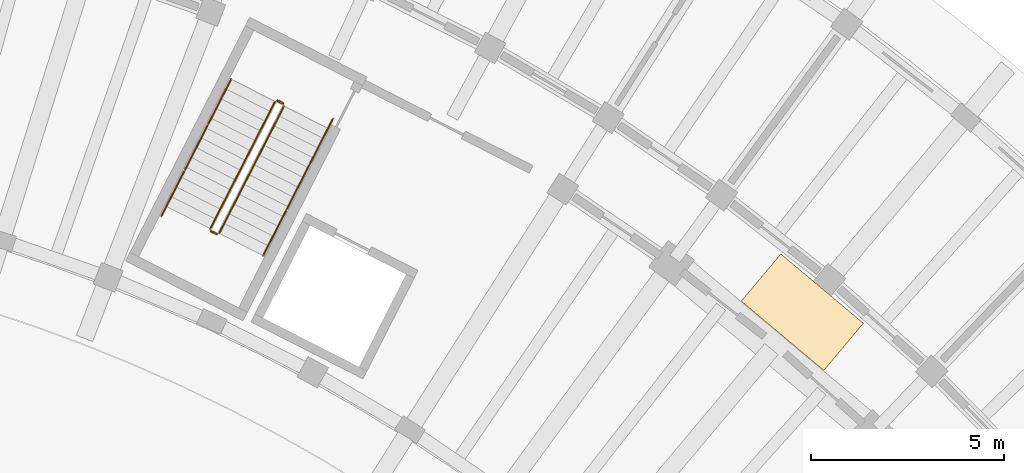
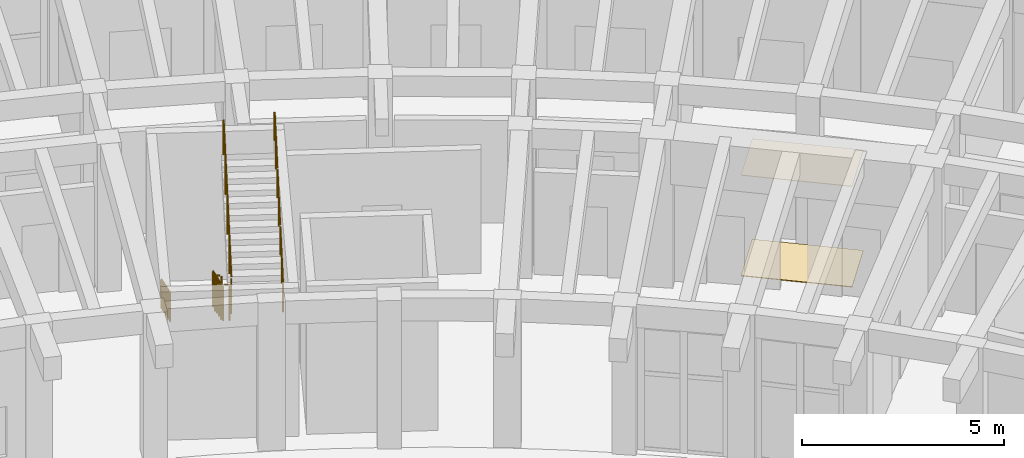
# One storey, part 131 of 132: 10 railings, 2 coverings.
"""IFC4 building model written with IfcOpenShell, lengths in metres."""

from ifc_helpers import new_model, si_unit, direction, frame, origin, origin_2d, place, context, subcontext, project, spatial, rectangle, circle, extrude, material, layer, layer_set, type_object, element, save


model = new_model("IFC4")

# Units and contexts
model_context = context("Model", 3, precision=1e-05, world=origin(), true_north=direction((0.0, 1.0)))
body_context = subcontext(model_context, "Body", "Model", "MODEL_VIEW")
ifc_project = project(units=[si_unit("LENGTHUNIT", "METRE"), si_unit("AREAUNIT", "SQUARE_METRE"), si_unit("VOLUMEUNIT", "CUBIC_METRE"), si_unit("PLANEANGLEUNIT", "RADIAN"), si_unit("MASSUNIT", "GRAM", prefix="KILO")], contexts=[model_context])

# Site, building, storey
site_placement = place(None, origin())
site = spatial("IfcSite", under=ifc_project, at=site_placement, CompositionType="ELEMENT")
building_placement = place(site_placement, origin())
building = spatial("IfcBuilding", under=site, at=building_placement, Name="Tanwirah Colonnade Gardens", CompositionType="ELEMENT")
storey_placement = place(building_placement, origin())
storey = spatial("IfcBuildingStorey", under=building, at=storey_placement, Name="L00", CompositionType="ELEMENT", Elevation=0.0)

# Coverings
ifc_material_1 = material(Name="Acoustic perforated gypsum ceiling board")
ifc_layer_1 = layer(ifc_material_1, 0.014892578125)
ifc_layer_set_1 = layer_set([ifc_layer_1], Name="Acoustic perforated gypsum ceiling board")
covering_type_1 = type_object("IfcCoveringType", Name="COV-CEIL15", PredefinedType="CEILING", material=ifc_layer_set_1)
covering_1_placement = place(storey_placement, frame((155.03564453125, 100.761962890625, 3.04248046875), z_axis=(0.0, 0.0, 1.0), x_axis=(-0.766044443119, 0.642787609687, 0.0)))
element("IfcCovering", 1, at=covering_1_placement, inside=storey, type_object=covering_type_1, Name="Block B L00 Corridor Acoustic Ceiling", PredefinedType="CEILING", context=body_context, shape_type="SweptSolid", body=[
    extrude(rectangle(XDim=2.800048828125, YDim=1.60009765625, at=origin_2d()), origin(), (0.0, 0.0, 1.0), 0.014892578125),
])
ifc_material_2 = material(Name="Honed Abu Dhabi limestone terrazzo flooring", Category="masonry")
ifc_layer_2 = layer(ifc_material_2, 0.02001953125)
ifc_layer_set_2 = layer_set([ifc_layer_2], Name="Honed Abu Dhabi limestone terrazzo flooring")
covering_type_2 = type_object("IfcCoveringType", Name="COV-FLR20", PredefinedType="FLOORING", material=ifc_layer_set_2)
covering_2_placement = place(storey_placement, frame((155.03564453125, 100.761962890625, 0.0), z_axis=(0.0, 0.0, 1.0), x_axis=(-0.766044443119, 0.642787609687, 0.0)))
element("IfcCovering", 2, at=covering_2_placement, inside=storey, type_object=covering_type_2, Name="Block B L00 Corridor Terrazzo Flooring", PredefinedType="FLOORING", context=body_context, shape_type="SweptSolid", body=[
    extrude(rectangle(XDim=2.800048828125, YDim=1.60009765625, at=origin_2d()), origin(), (0.0, 0.0, 1.0), 0.02001953125),
])

# Railings
ifc_material_3 = material(Name="Powder-coated galvanized steel", Category="steel")
railing_type_1 = type_object("IfcRailingType", Name="GRD-ST110", PredefinedType="GUARDRAIL", material=ifc_material_3)
railing_1_placement = place(storey_placement, frame((141.344970703125, 106.230712890625, 0.169921875)))
element("IfcRailing", 3, at=railing_1_placement, inside=storey, type_object=railing_type_1, Name="L00 ST-B2 stair guard 1", PredefinedType="GUARDRAIL", context=body_context, shape_type="SweptSolid", body=[
    extrude(circle(Radius=0.02392578125, at=origin_2d()), frame((-0.01220703125, -0.02392578125, 1.092041015625), z_axis=(-0.38990995272, -0.765219503727, 0.512259055446), x_axis=(0.891001276672, -0.454000798423, 0.0)), (0.0, 0.0, 1.0), 4.251708984375),
    extrude(circle(Radius=0.02099609375, at=origin_2d()), origin(), (0.0, 0.0, 1.0), 1.049072265625),
    extrude(circle(Radius=0.02099609375, at=origin_2d()), frame((-0.42041015625, -0.8251953125, 0.552490234375)), (0.0, 0.0, 1.0), 1.049072265625),
    extrude(circle(Radius=0.02099609375, at=origin_2d()), frame((-0.841064453125, -1.650634765625, 1.10498046875)), (0.0, 0.0, 1.0), 1.049072265625),
    extrude(circle(Radius=0.02099609375, at=origin_2d()), frame((-1.26171875, -2.47607421875, 1.657470703125)), (0.0, 0.0, 1.0), 1.049072265625),
    extrude(circle(Radius=0.02099609375, at=origin_2d()), frame((-1.68212890625, -3.30126953125, 2.2099609375)), (0.0, 0.0, 1.0), 1.049072265625),
])
railing_2_placement = place(storey_placement, frame((139.684814453125, 102.8623046875, 2.3798828125)))
element("IfcRailing", 4, at=railing_2_placement, inside=storey, type_object=railing_type_1, Name="L00 ST-B2 stair guard 2", PredefinedType="GUARDRAIL", context=body_context, shape_type="SweptSolid", body=[
    extrude(circle(Radius=0.02392578125, at=origin_2d()), frame((0.02783203125, -0.01416015625, 1.076171875), z_axis=(0.89073666619, -0.4545197372, 0.0), x_axis=(0.4545197372, 0.89073666619, 0.0)), (0.0, 0.0, 1.0), 0.09765625),
    extrude(circle(Radius=0.02099609375, at=origin_2d()), origin(), (0.0, 0.0, 1.0), 1.049072265625),
    extrude(circle(Radius=0.02099609375, at=origin_2d()), frame((0.142578125, -0.07275390625, 0.0)), (0.0, 0.0, 1.0), 1.049072265625),
])
railing_3_placement = place(storey_placement, frame((139.89453125, 102.8115234375, 2.550048828125)))
element("IfcRailing", 5, at=railing_3_placement, inside=storey, type_object=railing_type_1, Name="L00 ST-B2 stair guard 3", PredefinedType="GUARDRAIL", context=body_context, shape_type="SweptSolid", body=[
    extrude(circle(Radius=0.02392578125, at=origin_2d()), frame((0.01220703125, 0.02392578125, 1.092041015625), z_axis=(0.389926837974, 0.765196048802, 0.512281239092), x_axis=(-0.890987693886, 0.454027454395, 0.0)), (0.0, 0.0, 1.0), 4.25146484375),
    extrude(circle(Radius=0.02099609375, at=origin_2d()), origin(), (0.0, 0.0, 1.0), 1.049072265625),
    extrude(circle(Radius=0.02099609375, at=origin_2d()), frame((0.42041015625, 0.8251953125, 0.552490234375)), (0.0, 0.0, 1.0), 1.049072265625),
    extrude(circle(Radius=0.02099609375, at=origin_2d()), frame((0.841064453125, 1.650390625, 1.10498046875)), (0.0, 0.0, 1.0), 1.049072265625),
    extrude(circle(Radius=0.02099609375, at=origin_2d()), frame((1.26171875, 2.475830078125, 1.657470703125)), (0.0, 0.0, 1.0), 1.049072265625),
    extrude(circle(Radius=0.02099609375, at=origin_2d()), frame((1.68212890625, 3.301025390625, 2.2099609375)), (0.0, 0.0, 1.0), 1.049072265625),
])
railing_4_placement = place(storey_placement, frame((141.412109375, 106.25244140625, 0.0)))
element("IfcRailing", 6, at=railing_4_placement, inside=storey, type_object=railing_type_1, Name="L00 ST-B2 stair guard 4", PredefinedType="GUARDRAIL", context=body_context, shape_type="SweptSolid", body=[
    extrude(circle(Radius=0.02392578125, at=origin_2d()), frame((0.02783203125, -0.01416015625, 1.076171875), z_axis=(0.891353773095, -0.453308340084, 0.0), x_axis=(0.453308340084, 0.891353773095, 0.0)), (0.0, 0.0, 1.0), 0.097412109375),
    extrude(circle(Radius=0.02099609375, at=origin_2d()), origin(), (0.0, 0.0, 1.0), 1.049072265625),
    extrude(circle(Radius=0.02099609375, at=origin_2d()), frame((0.142578125, -0.072509765625, 0.0)), (0.0, 0.0, 1.0), 1.049072265625),
])
ifc_material_4 = material(Name="Brushed bronze stainless steel", Category="steel")
railing_type_2 = type_object("IfcRailingType", Name="HR-ST090", PredefinedType="HANDRAIL", material=ifc_material_4)
for number, where, name in (
    (7, (140.204345703125, 106.811767578125, 0.169921875), "L00 ST-B2 stair handrail 1"),
    (8, (139.6005859375, 105.626708984375, 0.96923828125), "L00 ST-B2 stair handrail 2"),
):
    element("IfcRailing", number, at=place(storey_placement, frame(where)), inside=storey, type_object=railing_type_2, Name=name, PredefinedType="HANDRAIL", context=body_context, shape_type="SweptSolid", body=[
        extrude(circle(Radius=0.02392578125, at=origin_2d()), frame((-0.01220703125, -0.02392578125, 0.891845703125), z_axis=(-0.389093776309, -0.763712571857, 0.515120510973), x_axis=(0.891024086855, -0.453956029417, 0.0)), (0.0, 0.0, 1.0), 1.4892578125),
        extrude(circle(Radius=0.02099609375, at=origin_2d()), origin(), (0.0, 0.0, 1.0), 0.848876953125),
        extrude(circle(Radius=0.02099609375, at=origin_2d()), frame((-0.3017578125, -0.592529296875, 0.399658203125)), (0.0, 0.0, 1.0), 0.848876953125),
        extrude(circle(Radius=0.02099609375, at=origin_2d()), frame((-0.603759765625, -1.18505859375, 0.79931640625)), (0.0, 0.0, 1.0), 0.848876953125),
    ])
railing_5_placement = place(storey_placement, frame((138.996826171875, 104.441650390625, 1.7685546875)))
element("IfcRailing", 9, at=railing_5_placement, inside=storey, type_object=railing_type_2, Name="L00 ST-B2 stair handrail 3", PredefinedType="HANDRAIL", context=body_context, shape_type="SweptSolid", body=[
    extrude(circle(Radius=0.02392578125, at=origin_2d()), frame((-0.01220703125, -0.02392578125, 0.891845703125), z_axis=(-0.389062240294, -0.763650673023, 0.515236084498), x_axis=(0.891024086855, -0.453956029417, 0.0)), (0.0, 0.0, 1.0), 1.4892578125),
    extrude(circle(Radius=0.02099609375, at=origin_2d()), origin(), (0.0, 0.0, 1.0), 0.848876953125),
    extrude(circle(Radius=0.02099609375, at=origin_2d()), frame((-0.3017578125, -0.592529296875, 0.39990234375)), (0.0, 0.0, 1.0), 0.848876953125),
    extrude(circle(Radius=0.02099609375, at=origin_2d()), frame((-0.603759765625, -1.18505859375, 0.799560546875)), (0.0, 0.0, 1.0), 0.848876953125),
])
for number, where, name in (
    (10, (141.03515625, 102.230224609375, 2.550048828125), "L00 ST-B2 stair handrail 4"),
    (11, (141.638916015625, 103.415283203125, 3.349365234375), "L00 ST-B2 stair handrail 5"),
    (12, (142.24267578125, 104.600341796875, 4.148681640625), "L00 ST-B2 stair handrail 6"),
):
    element("IfcRailing", number, at=place(storey_placement, frame(where)), inside=storey, type_object=railing_type_2, Name=name, PredefinedType="HANDRAIL", context=body_context, shape_type="SweptSolid", body=[
        extrude(circle(Radius=0.02392578125, at=origin_2d()), frame((0.01220703125, 0.02392578125, 0.891845703125), z_axis=(0.389093776309, 0.763712571857, 0.515120510973), x_axis=(-0.891024086855, 0.453956029417, 0.0)), (0.0, 0.0, 1.0), 1.4892578125),
        extrude(circle(Radius=0.02099609375, at=origin_2d()), origin(), (0.0, 0.0, 1.0), 0.848876953125),
        extrude(circle(Radius=0.02099609375, at=origin_2d()), frame((0.3017578125, 0.592529296875, 0.399658203125)), (0.0, 0.0, 1.0), 0.848876953125),
        extrude(circle(Radius=0.02099609375, at=origin_2d()), frame((0.603759765625, 1.18505859375, 0.79931640625)), (0.0, 0.0, 1.0), 0.848876953125),
    ])

save(model, "model.ifc")
